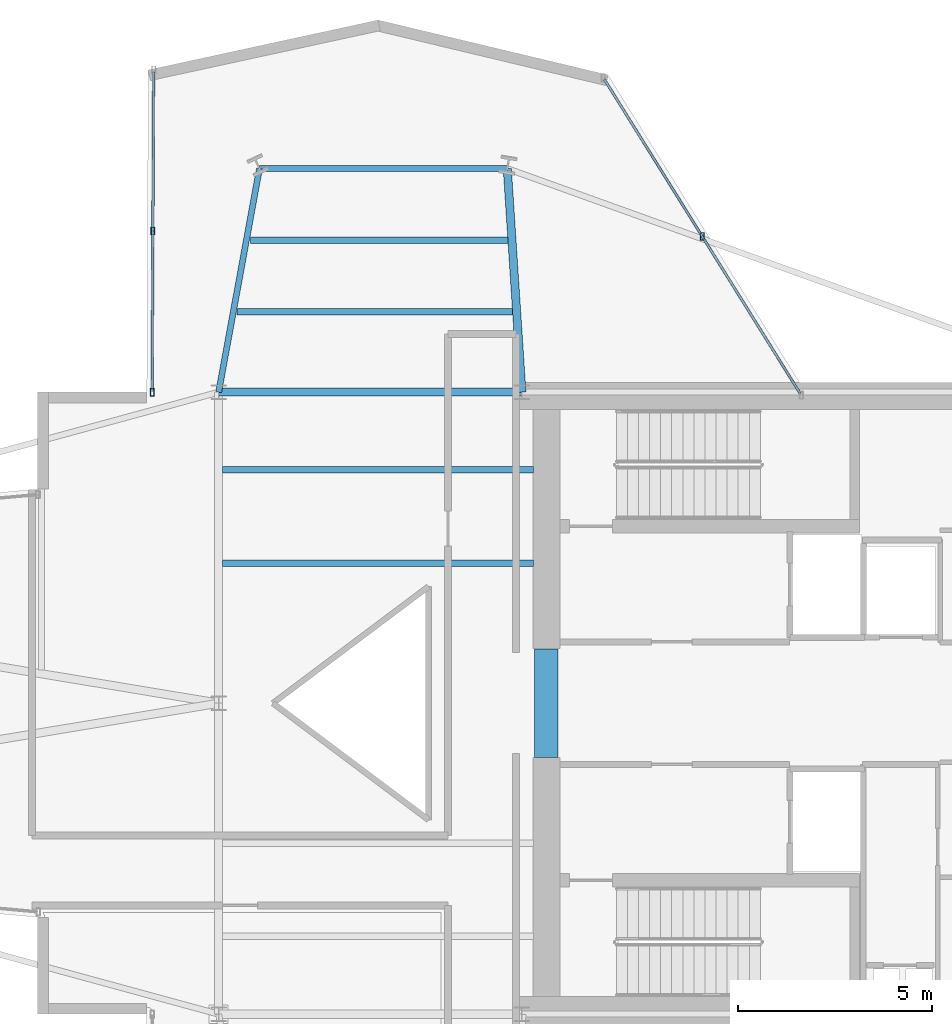
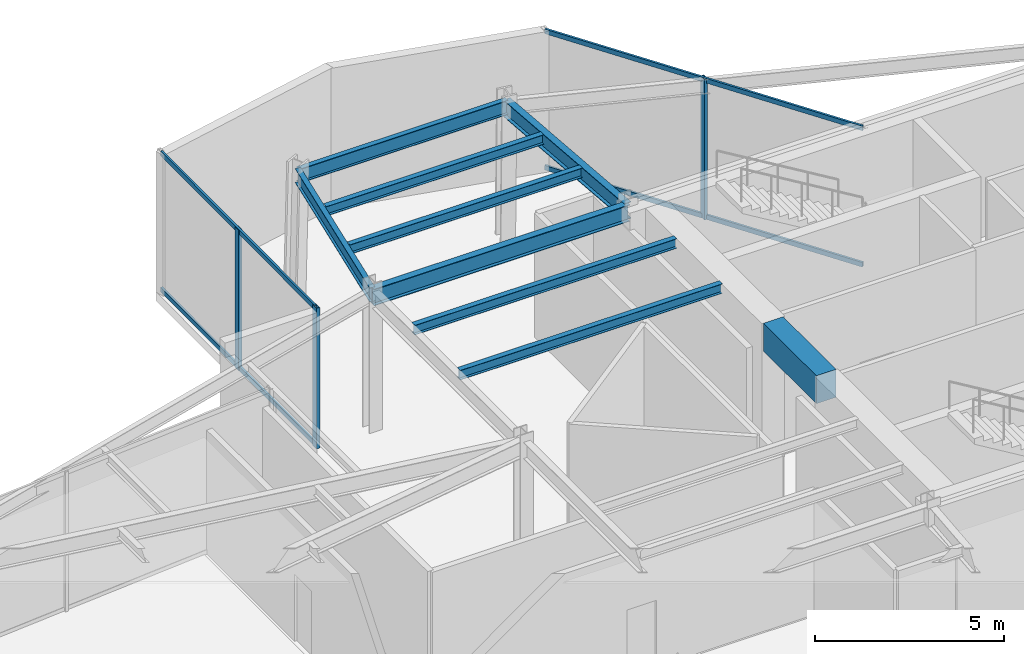
# One storey, part 5 of 14: 9 beams, 7 members, 2 elements without a shape of their own.
"""IFC4 building model written with IfcOpenShell, lengths in metres."""

import ifcopenshell
import ifcopenshell.guid

model = None  # the IFC model being written
_history = None  # IfcOwnerHistory: only IFC2X3 demands one
_inside = {}  # id of a spatial element -> (the spatial element, [elements in it])
_under = {}  # id of a project, library or spatial element -> (it, [spatial elements below it])
_declared = {}  # id of a project -> (the project, [libraries it declares])
_typed = {}  # id of a type object -> (the type object, [elements of that type])
_made_of = {}  # id of a material, layer set ... -> (it, [elements and type objects made of it])


def new_model(schema):
    """Start an empty IFC model of exactly this schema.

    Asked for "IFC4X3", IfcOpenShell would pick the latest addendum, in which some entities
    have other attributes; the version numbers below select the first issue.
    IFC2X3 requires an IfcOwnerHistory on every rooted entity: one is made here for all.
    """
    global model, _history
    if schema == "IFC4X3":
        model = ifcopenshell.file(schema_version=(4, 3, 0, 0))
    else:
        model = ifcopenshell.file(schema=schema)
    _inside.clear()
    _under.clear()
    _declared.clear()
    _typed.clear()
    _made_of.clear()
    _history = None
    if model.schema == "IFC2X3":
        org = make("IfcOrganization", Name="unknown")
        user = make(
            "IfcPersonAndOrganization",
            ThePerson=make("IfcPerson", FamilyName="unknown"),
            TheOrganization=org,
        )
        app = make(
            "IfcApplication",
            ApplicationDeveloper=org,
            Version="unknown",
            ApplicationFullName="unknown",
            ApplicationIdentifier="unknown",
        )
        _history = make(
            "IfcOwnerHistory",
            OwningUser=user,
            OwningApplication=app,
            ChangeAction="ADDED",
            CreationDate=0,
        )
    return model


def make(cls, **values):
    """One entity of the class cls with the attributes given. An attribute that is None is left unset."""
    return model.create_entity(
        cls, **{name: value for name, value in values.items() if value is not None}
    )


def rooted(cls, **values):
    """An entity with a GlobalId (a new one), such as an element, a storey or a relation."""
    return make(cls, GlobalId=ifcopenshell.guid.new(), OwnerHistory=_history, **values)


def si_unit(unit_type, name, prefix=None):
    """IfcSIUnit, for example si_unit("LENGTHUNIT", "METRE", prefix="MILLI")."""
    return make("IfcSIUnit", UnitType=unit_type, Prefix=prefix, Name=name)


def assignment(units):
    """IfcUnitAssignment: the units of a project."""
    return None if units is None else make("IfcUnitAssignment", Units=units)


def point(xyz):
    """IfcCartesianPoint."""
    return None if xyz is None else make("IfcCartesianPoint", Coordinates=xyz)


def direction(xyz):
    """IfcDirection."""
    return None if xyz is None else make("IfcDirection", DirectionRatios=xyz)


def frame(location, z_axis=None, x_axis=None):
    """IfcAxis2Placement3D, a coordinate frame: its origin and axes. An axis left out is left unset."""
    return make(
        "IfcAxis2Placement3D",
        Location=point(location),
        Axis=direction(z_axis),
        RefDirection=direction(x_axis),
    )


def frame_2d(location, x_axis=None):
    """IfcAxis2Placement2D, a coordinate frame in the plane: its origin and x axis."""
    return make(
        "IfcAxis2Placement2D", Location=point(location), RefDirection=direction(x_axis)
    )


def origin():
    """The frame at (0, 0, 0) with its axes left unset."""
    return frame((0.0, 0.0, 0.0))


def origin_2d():
    """The frame at (0, 0) in the plane with its x axis left unset."""
    return frame_2d((0.0, 0.0))


def place(relative_to, where):
    """IfcLocalPlacement: puts the frame where relative to a parent placement (None: the world)."""
    return make(
        "IfcLocalPlacement", PlacementRelTo=relative_to, RelativePlacement=where
    )


def context(
    kind, dimensions, precision=None, world=None, true_north=None, identifier=None
):
    """IfcGeometricRepresentationContext, for example the 3D "Model" context."""
    return make(
        "IfcGeometricRepresentationContext",
        ContextIdentifier=identifier,
        ContextType=kind,
        CoordinateSpaceDimension=dimensions,
        Precision=precision,
        WorldCoordinateSystem=world,
        TrueNorth=true_north,
    )


def subcontext(parent, identifier, kind, view, scale=None):
    """IfcGeometricRepresentationSubContext, for example "Body" below "Model"."""
    return make(
        "IfcGeometricRepresentationSubContext",
        ContextIdentifier=identifier,
        ContextType=kind,
        ParentContext=parent,
        TargetScale=scale,
        TargetView=view,
    )


def project(units=None, contexts=None):
    """IfcProject with its units and contexts."""
    return rooted(
        "IfcProject",
        Name="project",
        RepresentationContexts=contexts,
        UnitsInContext=assignment(units),
    )


def spatial(cls, under=None, at=None, **own):
    """A site, building, storey or space (cls), placed at a placement, below another one or the project."""
    s = rooted(cls, ObjectPlacement=at, **own)
    if under is not None:
        _under.setdefault(under.id(), (under, []))[1].append(s)
    return s


def profile(cls, at=None, kind="AREA", **sizes):
    """A parametric profile (cls). Its sizes go by their IFC names, for example OverallWidth=200.0."""
    return make(cls, ProfileType=kind, Position=at, **sizes)


def rectangle(**sizes):
    """IfcRectangleProfileDef."""
    return profile("IfcRectangleProfileDef", **sizes)


def hollow_rectangle(**sizes):
    """IfcRectangleHollowProfileDef."""
    return profile("IfcRectangleHollowProfileDef", **sizes)


def i_section(**sizes):
    """IfcIShapeProfileDef."""
    return profile("IfcIShapeProfileDef", **sizes)


def extrude(swept, where, along, depth):
    """IfcExtrudedAreaSolid: the profile swept, set in the frame where, extruded along a direction by depth."""
    return make(
        "IfcExtrudedAreaSolid",
        SweptArea=swept,
        Position=where,
        ExtrudedDirection=direction(along),
        Depth=depth,
    )


def shape(context_of_items, identifier, shape_type, items):
    """IfcShapeRepresentation: the items that make up one representation, for example the "Body"."""
    return make(
        "IfcShapeRepresentation",
        ContextOfItems=context_of_items,
        RepresentationIdentifier=identifier,
        RepresentationType=shape_type,
        Items=items,
    )


def material(Name=None, Category=None):
    """IfcMaterial."""
    return make("IfcMaterial", Name=Name, Category=Category)


def layer(
    of_material, thickness, ventilated=None, Name=None, Category=None, Priority=None
):
    """IfcMaterialLayer: one layer of a wall or slab, of a material (None: an air gap)."""
    return make(
        "IfcMaterialLayer",
        Material=of_material,
        LayerThickness=thickness,
        IsVentilated=ventilated,
        Name=Name,
        Category=Category,
        Priority=Priority,
    )


def layer_set(layers, Name=None):
    """IfcMaterialLayerSet."""
    return make("IfcMaterialLayerSet", MaterialLayers=layers, LayerSetName=Name)


def material_profile(
    of_material, cross_section, Name=None, Category=None, Priority=None
):
    """IfcMaterialProfile: a cross section and its material."""
    return make(
        "IfcMaterialProfile",
        Name=Name,
        Material=of_material,
        Profile=cross_section,
        Priority=Priority,
        Category=Category,
    )


def profile_set(profiles, Name=None, composite=None):
    """IfcMaterialProfileSet."""
    return make(
        "IfcMaterialProfileSet",
        Name=Name,
        MaterialProfiles=profiles,
        CompositeProfile=composite,
    )


def made_of(thing, what):
    """Note that an element or type object is made of a material, layer set ...; save() writes the relation."""
    if what is not None:
        _made_of.setdefault(what.id(), (what, []))[1].append(thing)
    return thing


def type_object(cls, material=None, **own):
    """A type object (cls), such as IfcWallType, which elements share."""
    return made_of(rooted(cls, **own), material)


def element(
    cls,
    number,
    at=None,
    inside=None,
    cuts=None,
    type_object=None,
    material=None,
    context=None,
    identifier="Body",
    shape_type=None,
    held_by="IfcProductDefinitionShape",
    body=None,
    shapes=None,
    **own,
):
    """One element of the class cls, such as IfcWall. Its Tag is "e" and its number.

    at: its placement. inside: the storey or other place that contains it. cuts: it is an
    opening in that element (IfcRelVoidsElement). A single representation is given by context,
    identifier, shape_type and body (its items); several are given by shapes. held_by: the class
    of the entity that holds the representations. save() writes the other relations.
    """
    e = rooted(cls, Tag="e%d" % number, ObjectPlacement=at, **own)
    if body is not None:
        shapes = [shape(context, identifier, shape_type, body)]
    if shapes is not None:
        e.Representation = make(held_by, Representations=shapes)
    if inside is not None:
        _inside.setdefault(inside.id(), (inside, []))[1].append(e)
    if cuts is not None:
        rooted(
            "IfcRelVoidsElement", RelatingBuildingElement=cuts, RelatedOpeningElement=e
        )
    if type_object is not None:
        _typed.setdefault(type_object.id(), (type_object, []))[1].append(e)
    return made_of(e, material)


def aggregate(whole, parts):
    """IfcRelAggregates: a whole, such as a stair, and the parts it consists of."""
    return rooted("IfcRelAggregates", RelatingObject=whole, RelatedObjects=parts)


def save(model, path):
    """Write the relations noted so far, then the file.

    IfcRelAggregates (storeys below a building ...), IfcRelContainedInSpatialStructure (elements
    in a storey), IfcRelDefinesByType, IfcRelAssociatesMaterial and IfcRelDeclares: one each for
    every whole, place, type object, material and project.
    """
    for whole, parts in _under.values():
        aggregate(whole, parts)
    for where, things in _inside.values():
        rooted(
            "IfcRelContainedInSpatialStructure",
            RelatedElements=things,
            RelatingStructure=where,
        )
    for kind, things in _typed.values():
        rooted("IfcRelDefinesByType", RelatedObjects=things, RelatingType=kind)
    for what, things in _made_of.values():
        rooted("IfcRelAssociatesMaterial", RelatedObjects=things, RelatingMaterial=what)
    for by, libraries in _declared.values():
        rooted("IfcRelDeclares", RelatingContext=by, RelatedDefinitions=libraries)
    model.write(path)


model = new_model("IFC4")

# Units and contexts
model_context = context("Model", 3, precision=1e-05, world=origin(), true_north=direction((0.0, 1.0)))
body_context = subcontext(model_context, "Body", "Model", "MODEL_VIEW")
ifc_project = project(units=[si_unit("LENGTHUNIT", "METRE"), si_unit("AREAUNIT", "SQUARE_METRE"), si_unit("VOLUMEUNIT", "CUBIC_METRE"), si_unit("PLANEANGLEUNIT", "RADIAN"), si_unit("MASSUNIT", "GRAM", prefix="KILO")], contexts=[model_context])

# Site, building, storey
site_placement = place(None, origin())
site = spatial("IfcSite", under=ifc_project, at=site_placement, CompositionType="ELEMENT")
building_placement = place(site_placement, origin())
building = spatial("IfcBuilding", under=site, at=building_placement, Name="Veymaron Broadcast Tower", CompositionType="ELEMENT")
storey_placement = place(building_placement, frame((0.0, 0.0, 187.050048828125)))
storey = spatial("IfcBuildingStorey", under=building, at=storey_placement, Name="L43", CompositionType="ELEMENT", Elevation=187.050048828125)

# Beams
ifc_material_1 = material(Name="Concrete C60/75", Category="concrete")
ifc_material_profile_1 = material_profile(ifc_material_1, rectangle(XDim=0.60009765625, YDim=0.89990234375, at=origin_2d()), Name="RC600X900")
ifc_profile_set_1 = profile_set([ifc_material_profile_1], Name="Concrete C60/75")
beam_type_1 = type_object("IfcBeamType", Name="BM-CB2", PredefinedType="LINTEL", material=ifc_profile_set_1)
beam_1_placement = place(storey_placement, frame((39.6298828125, 22.60009765625, 4.08984375), z_axis=(0.0, 1.0, 0.0), x_axis=(-1.0, 0.0, 0.0)))
element("IfcBeam", 1, at=beam_1_placement, inside=storey, type_object=beam_type_1, Name="L43 Core Wall west coupling beam", PredefinedType="LINTEL", context=body_context, shape_type="SweptSolid", body=[
    extrude(rectangle(XDim=0.60009765625, YDim=0.89990234375, at=origin_2d()), origin(), (0.0, 0.0, 1.0), 2.7998046875),
])
ifc_material_2 = material(Name="Structural steel ASTM A992 Gr 50", Category="steel")
ifc_material_profile_2 = material_profile(ifc_material_2, i_section(OverallWidth=0.2099609375, OverallDepth=0.537109375, WebThickness=0.010986328125, FlangeThickness=0.017333984375, at=origin_2d()), Name="W530X101")
ifc_profile_set_2 = profile_set([ifc_material_profile_2], Name="Structural steel ASTM A992 Gr 50")
beam_type_2 = type_object("IfcBeamType", Name="BM-FG3", PredefinedType="BEAM", material=ifc_profile_set_2)
beam_2_placement = place(storey_placement, frame((31.199951171875, 32.0, 4.271484375), z_axis=(1.0, 0.0, 0.0), x_axis=(0.0, 1.0, 0.0)))
element("IfcBeam", 2, at=beam_2_placement, inside=storey, type_object=beam_type_2, Name="L43 primary structural floor girder", PredefinedType="BEAM", context=body_context, shape_type="SweptSolid", body=[
    extrude(i_section(OverallWidth=0.2099609375, OverallDepth=0.537109375, WebThickness=0.010986328125, FlangeThickness=0.017333984375, at=origin_2d()), origin(), (0.0, 0.0, 1.0), 7.800048828125),
])
beam_3_placement = place(storey_placement, frame((39.0, 32.0, 4.271484375), z_axis=(-0.065079137346, 0.997880105966, 0.0), x_axis=(-0.997880105966, -0.065079137346, 0.0)))
element("IfcBeam", 3, at=beam_3_placement, inside=storey, type_object=beam_type_2, Name="L43 primary structural floor girder", PredefinedType="BEAM", context=body_context, shape_type="SweptSolid", body=[
    extrude(i_section(OverallWidth=0.2099609375, OverallDepth=0.537109375, WebThickness=0.010986328125, FlangeThickness=0.017333984375, at=origin_2d()), origin(), (0.0, 0.0, 1.0), 5.76220703125),
])
ifc_material_profile_3 = material_profile(ifc_material_2, i_section(OverallWidth=0.1650390625, OverallDepth=0.31005859375, WebThickness=0.005859375, FlangeThickness=0.009765625, at=origin_2d()), Name="W310X39")
ifc_profile_set_3 = profile_set([ifc_material_profile_3], Name="Structural steel ASTM A992 Gr 50")
beam_type_3 = type_object("IfcBeamType", Name="BM-JS3", PredefinedType="JOIST", material=ifc_profile_set_3)
beam_4_placement = place(storey_placement, frame((31.677978515625, 34.070068359375, 4.385009765625), z_axis=(1.0, 0.0, 0.0), x_axis=(0.0, 1.0, 0.0)))
element("IfcBeam", 4, at=beam_4_placement, inside=storey, type_object=beam_type_3, Name="L43 Arm-B secondary joist 1", PredefinedType="JOIST", context=body_context, shape_type="SweptSolid", body=[
    extrude(i_section(OverallWidth=0.1650390625, OverallDepth=0.31005859375, WebThickness=0.005859375, FlangeThickness=0.009765625, at=origin_2d()), origin(), (0.0, 0.0, 1.0), 7.0869140625),
])
beam_5_placement = place(storey_placement, frame((32.013916015625, 35.909912109375, 4.385009765625), z_axis=(1.0, 0.0, 0.0), x_axis=(0.0, 1.0, 0.0)))
element("IfcBeam", 5, at=beam_5_placement, inside=storey, type_object=beam_type_3, Name="L43 Arm-B secondary joist 2", PredefinedType="JOIST", context=body_context, shape_type="SweptSolid", body=[
    extrude(i_section(OverallWidth=0.1650390625, OverallDepth=0.31005859375, WebThickness=0.005859375, FlangeThickness=0.009765625, at=origin_2d()), origin(), (0.0, 0.0, 1.0), 6.631103515625),
])
for number, where, z_axis, x_axis, name in (
    (6, (31.300048828125, 27.60009765625, 4.385009765625), (1.0, 0.0, 0.0), (0.0, 1.0, 0.0), "L43 Hub secondary joist 3"),
    (7, (31.300048828125, 30.0, 4.385009765625), (1.0, 0.0, 0.0), (0.0, 1.0, 0.0), "L43 Hub secondary joist 4"),
):
    element("IfcBeam", number, at=place(storey_placement, frame(where, z_axis=z_axis, x_axis=x_axis)), inside=storey, type_object=beam_type_3, Name=name, PredefinedType="JOIST", context=body_context, shape_type="SweptSolid", body=[
        extrude(i_section(OverallWidth=0.1650390625, OverallDepth=0.31005859375, WebThickness=0.005859375, FlangeThickness=0.009765625, at=origin_2d()), origin(), (0.0, 0.0, 1.0), 8.0),
    ])
ifc_material_profile_4 = material_profile(ifc_material_2, i_section(OverallWidth=0.154052734375, OverallDepth=0.458984375, WebThickness=0.009033203125, FlangeThickness=0.015380859375, at=origin_2d()), Name="W460X68")
ifc_profile_set_4 = profile_set([ifc_material_profile_4], Name="Structural steel ASTM A992 Gr 50")
beam_type_4 = type_object("IfcBeamType", Name="BM-SP2", PredefinedType="SPANDREL", material=ifc_profile_set_4)
beam_6_placement = place(storey_placement, frame((31.199951171875, 32.0, 4.310546875), z_axis=(0.179646239371, 0.983731278693, 0.0), x_axis=(-0.983731278693, 0.179646239371, 0.0)))
element("IfcBeam", 8, at=beam_6_placement, inside=storey, type_object=beam_type_4, Name="L43 primary structural floor girder", PredefinedType="SPANDREL", context=body_context, shape_type="SweptSolid", body=[
    extrude(i_section(OverallWidth=0.154052734375, OverallDepth=0.458984375, WebThickness=0.009033203125, FlangeThickness=0.015380859375, at=origin_2d()), origin(), (0.0, 0.0, 1.0), 5.844970703125),
])
beam_7_placement = place(storey_placement, frame((32.25, 37.75, 4.310546875), z_axis=(1.0, 0.0, 0.0), x_axis=(0.0, 1.0, 0.0)))
element("IfcBeam", 9, at=beam_7_placement, inside=storey, type_object=beam_type_4, Name="L43 primary structural floor girder", PredefinedType="SPANDREL", context=body_context, shape_type="SweptSolid", body=[
    extrude(i_section(OverallWidth=0.154052734375, OverallDepth=0.458984375, WebThickness=0.009033203125, FlangeThickness=0.015380859375, at=origin_2d()), origin(), (0.0, 0.0, 1.0), 6.375),
])

# Curtain wall, member
ifc_material_3 = material(Name="Anodised aluminium AA 6063-T6 and laminated low-E dark glass", Category="aluminium")
ifc_layer = layer(ifc_material_3, 0.179931640625)
ifc_layer_set = layer_set([ifc_layer], Name="Anodised aluminium AA 6063-T6 and laminated low-E dark glass")
curtain_wall_type = type_object("IfcCurtainWallType", Name="CW-SYS-04", PredefinedType="NOTDEFINED", material=ifc_layer_set)
curtain_wall_1_placement = place(storey_placement, origin())
curtain_wall_1 = element("IfcCurtainWall", 10, at=curtain_wall_1_placement, inside=storey, type_object=curtain_wall_type, Name="L43 dark-glass curtain wall CW-L43-E5-1", PredefinedType="NOTDEFINED")
ifc_material_4 = material(Name="Anodised aluminium AA 6063-T6", Category="aluminium")
ifc_material_profile_5 = material_profile(ifc_material_4, hollow_rectangle(XDim=0.10009765625, YDim=0.199951171875, WallThickness=0.010009765625, at=origin_2d()), Name="RHS200X100X10")
ifc_profile_set_5 = profile_set([ifc_material_profile_5], Name="Anodised aluminium AA 6063-T6")
member_type_1 = type_object("IfcMemberType", Name="CW-MUL-01", PredefinedType="MULLION", material=ifc_profile_set_5)
member_1_placement = place(storey_placement, frame((43.6396484375, 36.00634765625, 0.0), z_axis=(0.0, 0.0, 1.0), x_axis=(1.0, 0.0, 0.0)))
member_1 = element("IfcMember", 11, at=member_1_placement, type_object=member_type_1, Name="CW-L43-E5-1 mullion 1", PredefinedType="MULLION", context=body_context, shape_type="SweptSolid", body=[
    extrude(hollow_rectangle(XDim=0.10009765625, YDim=0.199951171875, WallThickness=0.010009765625, at=origin_2d()), origin(), (0.0, 0.0, 1.0), 4.5400390625),
])

# Curtain wall, members
curtain_wall_2_placement = place(storey_placement, origin())
curtain_wall_2 = element("IfcCurtainWall", 12, at=curtain_wall_2_placement, inside=storey, type_object=curtain_wall_type, Name="L43 dark-glass curtain wall CW-L43-E8-1", PredefinedType="NOTDEFINED")
member_2_placement = place(storey_placement, frame((29.508056640625, 36.14404296875, 0.0), z_axis=(0.0, 0.0, 1.0), x_axis=(1.0, 0.0, 0.0)))
member_2 = element("IfcMember", 13, at=member_2_placement, type_object=member_type_1, Name="CW-L43-E8-1 mullion 1", PredefinedType="MULLION", context=body_context, shape_type="SweptSolid", body=[
    extrude(hollow_rectangle(XDim=0.10009765625, YDim=0.199951171875, WallThickness=0.010009765625, at=origin_2d()), origin(), (0.0, 0.0, 1.0), 4.5400390625),
])
member_3_placement = place(storey_placement, frame((29.4892578125, 31.99951171875, 0.0), z_axis=(0.0, 0.0, 1.0), x_axis=(1.0, 0.0, 0.0)))
member_3 = element("IfcMember", 14, at=member_3_placement, type_object=member_type_1, Name="CW-L43-E8-1 mullion 2", PredefinedType="MULLION", context=body_context, shape_type="SweptSolid", body=[
    extrude(hollow_rectangle(XDim=0.10009765625, YDim=0.199951171875, WallThickness=0.010009765625, at=origin_2d()), origin(), (0.0, 0.0, 1.0), 4.5400390625),
])

# Member
ifc_material_profile_6 = material_profile(ifc_material_4, hollow_rectangle(XDim=0.06494140625, YDim=0.14990234375, WallThickness=0.00390625, at=origin_2d()), Name="AL150X65X4")
ifc_profile_set_6 = profile_set([ifc_material_profile_6], Name="Anodised aluminium AA 6063-T6")
member_type_2 = type_object("IfcMemberType", Name="CW-TRN-01", PredefinedType="USERDEFINED", material=ifc_profile_set_6)
member_4_placement = place(storey_placement, frame((46.15625, 31.968505859375, 0.070068359375), z_axis=(-0.528921542315, 0.848670726534, 0.0), x_axis=(-0.848670726534, -0.528921542315, 0.0)))
member_4 = element("IfcMember", 15, at=member_4_placement, type_object=member_type_2, Name="CW-L43-E5-1 transom B", ObjectType="TRANSOM", PredefinedType="USERDEFINED", context=body_context, shape_type="SweptSolid", body=[
    extrude(hollow_rectangle(XDim=0.06494140625, YDim=0.14990234375, WallThickness=0.00390625, at=origin_2d()), origin(), (0.0, 0.0, 1.0), 9.515869140625),
])

member_5_placement = place(storey_placement, frame((46.15625, 31.968505859375, 4.469970703125), z_axis=(-0.528921542315, 0.848670726534, 0.0), x_axis=(-0.848670726534, -0.528921542315, 0.0)))
member_5 = element("IfcMember", 16, at=member_5_placement, type_object=member_type_2, Name="CW-L43-E5-1 transom T", ObjectType="TRANSOM", PredefinedType="USERDEFINED", context=body_context, shape_type="SweptSolid", body=[
    extrude(hollow_rectangle(XDim=0.06494140625, YDim=0.14990234375, WallThickness=0.00390625, at=origin_2d()), origin(), (0.0, 0.0, 1.0), 9.515869140625),
])

aggregate(curtain_wall_1, [member_1, member_4, member_5])

member_6_placement = place(storey_placement, frame((29.52685546875, 40.238525390625, 0.070068359375), z_axis=(-0.004561261915, -0.999989597391, 0.0), x_axis=(0.999989597391, -0.004561261915, 0.0)))
member_6 = element("IfcMember", 17, at=member_6_placement, type_object=member_type_2, Name="CW-L43-E8-1 transom B", ObjectType="TRANSOM", PredefinedType="USERDEFINED", context=body_context, shape_type="SweptSolid", body=[
    extrude(hollow_rectangle(XDim=0.06494140625, YDim=0.14990234375, WallThickness=0.00390625, at=origin_2d()), origin(), (0.0, 0.0, 1.0), 8.189208984375),
])

member_7_placement = place(storey_placement, frame((29.52685546875, 40.238525390625, 4.469970703125), z_axis=(-0.004561261915, -0.999989597391, 0.0), x_axis=(0.999989597391, -0.004561261915, 0.0)))
member_7 = element("IfcMember", 18, at=member_7_placement, type_object=member_type_2, Name="CW-L43-E8-1 transom T", ObjectType="TRANSOM", PredefinedType="USERDEFINED", context=body_context, shape_type="SweptSolid", body=[
    extrude(hollow_rectangle(XDim=0.06494140625, YDim=0.14990234375, WallThickness=0.00390625, at=origin_2d()), origin(), (0.0, 0.0, 1.0), 8.189208984375),
])

aggregate(curtain_wall_2, [member_2, member_3, member_6, member_7])

save(model, "model.ifc")
